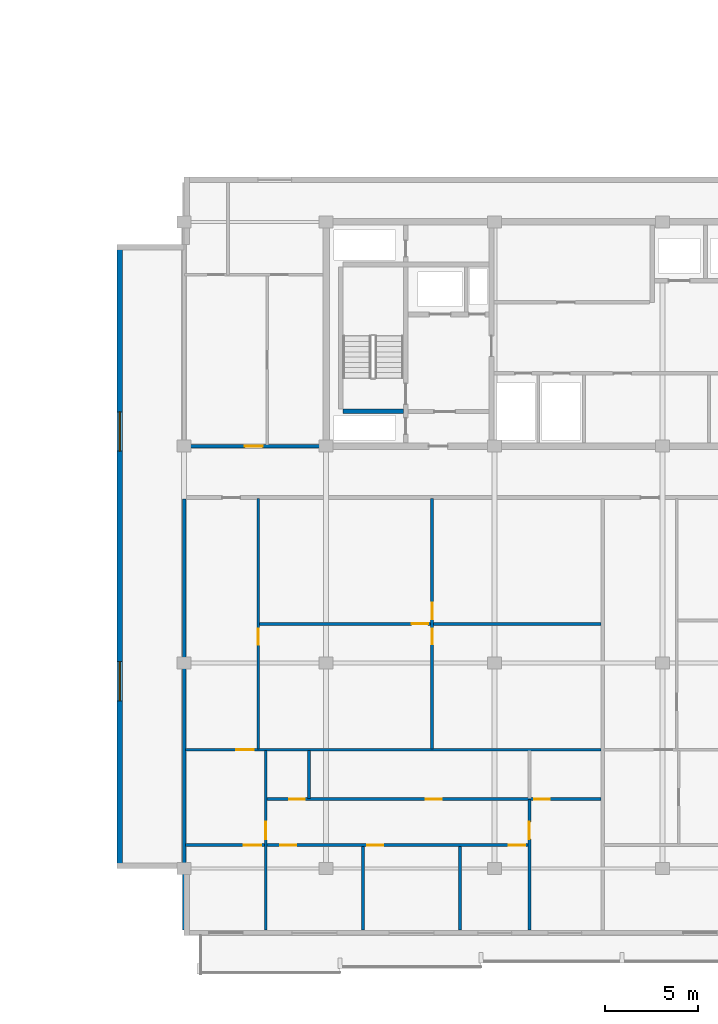
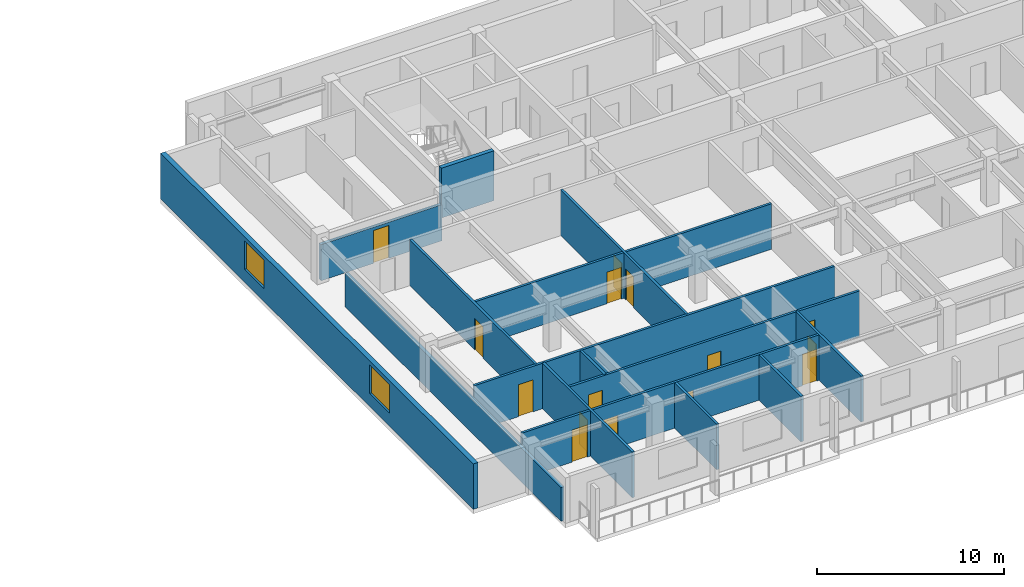
# One storey, part 4 of 22: 15 doors, 15 walls, 2 windows, 17 openings.
"""IFC4 building model written with IfcOpenShell, lengths in metres."""

from ifc_helpers import new_model, si_unit, direction, frame, frame_2d, origin, place, context, subcontext, project, spatial, rectangle, extrude, material, layer, layer_set, type_object, element, fill, save


model = new_model("IFC4")

# Units and contexts
model_context = context("Model", 3, precision=1e-05, world=origin(), true_north=direction((0.0, 1.0)))
body_context = subcontext(model_context, "Body", "Model", "MODEL_VIEW")
ifc_project = project(units=[si_unit("LENGTHUNIT", "METRE"), si_unit("AREAUNIT", "SQUARE_METRE"), si_unit("VOLUMEUNIT", "CUBIC_METRE"), si_unit("PLANEANGLEUNIT", "RADIAN"), si_unit("MASSUNIT", "GRAM", prefix="KILO")], contexts=[model_context])

# Site, building, storey
site_placement = place(None, origin())
site = spatial("IfcSite", under=ifc_project, at=site_placement, CompositionType="ELEMENT")
building_placement = place(site_placement, origin())
building = spatial("IfcBuilding", under=site, at=building_placement, Name="Korimba Cascade Residences", CompositionType="ELEMENT")
storey_placement = place(building_placement, frame((0.0, 0.0, 194.60009765625)))
storey = spatial("IfcBuildingStorey", under=building, at=storey_placement, Name="L56", CompositionType="ELEMENT", Elevation=194.60009765625)

# Wall, openings, windows
ifc_material_1 = material(Name="Precast concrete C40/50", Category="concrete")
ifc_layer_1 = layer(ifc_material_1, 0.300048828125)
ifc_layer_set_1 = layer_set([ifc_layer_1], Name="Precast concrete C40/50")
wall_type_1 = type_object("IfcWallType", Name="EW-STONE-300", PredefinedType="STANDARD", material=ifc_layer_set_1)
wall_1_placement = place(storey_placement, frame((71.050048828125, 29.199951171875, 0.0), z_axis=(0.0, 0.0, 1.0), x_axis=(0.0, -1.0, 0.0)))
wall_1 = element("IfcWall", 1, at=wall_1_placement, inside=storey, type_object=wall_type_1, Name="L56 T2 Perimeter Stone Wall E09", PredefinedType="STANDARD", context=body_context, shape_type="SweptSolid", body=[
    extrude(rectangle(XDim=33.39990234375, YDim=0.300048828125, at=frame_2d((16.699951171875, 0.0))), origin(), (0.0, 0.0, 1.0), 2.969970703125),
])
opening_1_placement = place(wall_1_placement, frame((8.969970703125, 0.0, 0.85009765625)))
opening_1 = element("IfcOpeningElement", 2, at=opening_1_placement, cuts=wall_1, Name="Opening W-03", PredefinedType="OPENING", context=body_context, shape_type="SweptSolid", body=[
    extrude(rectangle(XDim=2.10009765625, YDim=1.85009765625, at=frame_2d((1.050048828125, 0.925048828125))), frame((0.0, 0.16015625, 0.0), z_axis=(0.0, -1.0, 0.0), x_axis=(1.0, 0.0, 0.0)), (0.0, 0.0, 1.0), 0.320068359375),
])
opening_2_placement = place(wall_1_placement, frame((22.330078125, 0.0, 0.85009765625)))
opening_2 = element("IfcOpeningElement", 3, at=opening_2_placement, cuts=wall_1, Name="Opening W-03", PredefinedType="OPENING", context=body_context, shape_type="SweptSolid", body=[
    extrude(rectangle(XDim=2.10009765625, YDim=1.85009765625, at=frame_2d((1.050048828125, 0.925048828125))), frame((0.0, 0.16015625, 0.0), z_axis=(0.0, -1.0, 0.0), x_axis=(1.0, 0.0, 0.0)), (0.0, 0.0, 1.0), 0.320068359375),
])
ifc_material_2 = material(Name="Double-Glazed Aluminium Window", Category="aluminium")
window_type = type_object("IfcWindowType", Name="WIN-CRN-2100", PartitioningType="DOUBLE_PANEL_HORIZONTAL", PredefinedType="WINDOW", material=ifc_material_2)
window_1_placement = place(opening_1_placement, origin())
window_1 = element("IfcWindow", 4, at=window_1_placement, inside=storey, type_object=window_type, Name="L56 T2 End View Window 9.1", OverallHeight=1.85009765625, OverallWidth=2.10009765625, PartitioningType="DOUBLE_PANEL_HORIZONTAL", PredefinedType="WINDOW", context=body_context, shape_type="SweptSolid", body=[
    extrude(rectangle(XDim=2.10009765625, YDim=1.85009765625, at=frame_2d((1.050048828125, 0.925048828125))), frame((0.0, 0.030029296875, 0.0), z_axis=(0.0, -1.0, 0.0), x_axis=(1.0, 0.0, 0.0)), (0.0, 0.0, 1.0), 0.06005859375),
])
fill(opening_1, window_1)
window_2_placement = place(opening_2_placement, origin())
window_2 = element("IfcWindow", 5, at=window_2_placement, inside=storey, type_object=window_type, Name="L56 T2 End View Window 9.2", OverallHeight=1.85009765625, OverallWidth=2.10009765625, PartitioningType="DOUBLE_PANEL_HORIZONTAL", PredefinedType="WINDOW", context=body_context, shape_type="SweptSolid", body=[
    extrude(rectangle(XDim=2.10009765625, YDim=1.85009765625, at=frame_2d((1.050048828125, 0.925048828125))), frame((0.0, 0.030029296875, 0.0), z_axis=(0.0, -1.0, 0.0), x_axis=(1.0, 0.0, 0.0)), (0.0, 0.0, 1.0), 0.06005859375),
])
fill(opening_2, window_2)

# Wall, opening, door
ifc_layer_2 = layer(ifc_material_1, 0.199951171875)
ifc_layer_set_2 = layer_set([ifc_layer_2], Name="Precast concrete C40/50")
wall_type_2 = type_object("IfcWallType", Name="WAL-IT-200", PredefinedType="PARTITIONING", material=ifc_layer_set_2)
wall_2_placement = place(storey_placement, frame((74.5, 18.39990234375, 0.0), z_axis=(0.0, 0.0, 1.0), x_axis=(1.0, 0.0, 0.0)))
wall_2 = element("IfcWall", 6, at=wall_2_placement, inside=storey, type_object=wall_type_2, Name="L56 Partition Wall WAL-L56-T2-FW-S", PredefinedType="PARTITIONING", context=body_context, shape_type="SweptSolid", body=[
    extrude(rectangle(XDim=7.449951171875, YDim=0.199951171875, at=frame_2d((3.72509765625, 0.0))), origin(), (0.0, 0.0, 1.0), 2.357666015625),
])
opening_3_placement = place(wall_2_placement, frame((3.25, 0.0, 0.0)))
opening_3 = element("IfcOpeningElement", 7, at=opening_3_placement, cuts=wall_2, Name="Opening D-UN1", PredefinedType="OPENING", context=body_context, shape_type="SweptSolid", body=[
    extrude(rectangle(XDim=0.949951171875, YDim=2.14990234375, at=frame_2d((0.47509765625, 1.074951171875))), frame((0.0, 0.10986328125, 0.0), z_axis=(0.0, -1.0, 0.0), x_axis=(1.0, 0.0, 0.0)), (0.0, 0.0, 1.0), 0.219970703125),
])
ifc_material_3 = material(Name="Fire-Rated Hardwood Apartment Entrance Door", Category="wood")
door_type_1 = type_object("IfcDoorType", Name="DR-FD60-950", OperationType="NOTDEFINED", PredefinedType="DOOR", material=ifc_material_3)
door_1_placement = place(opening_3_placement, origin())
door_1 = element("IfcDoor", 8, at=door_1_placement, inside=storey, type_object=door_type_1, Name="L56-T2-FW Entrance Door", OperationType="SINGLE_SWING_RIGHT", OverallHeight=2.14990234375, OverallWidth=0.949951171875, PredefinedType="DOOR", context=body_context, shape_type="SweptSolid", body=[
    extrude(rectangle(XDim=0.949951171875, YDim=2.14990234375, at=frame_2d((0.47509765625, 1.074951171875))), frame((0.0, 0.02490234375, 0.0), z_axis=(0.0, -1.0, 0.0), x_axis=(1.0, 0.0, 0.0)), (0.0, 0.0, 1.0), 0.050048828125),
])
fill(opening_3, door_1)

# Wall
wall_3_placement = place(storey_placement, frame((74.5, -7.5, 0.0), z_axis=(0.0, 0.0, 1.0), x_axis=(0.0, 1.0, 0.0)))
element("IfcWall", 9, at=wall_3_placement, inside=storey, type_object=wall_type_2, Name="L56 Partition Wall WAL-L56-T2-BNDWL", PredefinedType="PARTITIONING", context=body_context, shape_type="SweptSolid", body=[
    extrude(rectangle(XDim=23.070068359375, YDim=0.199951171875, at=frame_2d((11.53515625, 0.0))), origin(), (0.0, 0.0, 1.0), 2.2001953125),
])

# Wall, openings, doors
ifc_material_4 = material(Name="Insulated Acoustic Stud Partition", Category="gypsum")
ifc_layer_3 = layer(ifc_material_4, 0.14990234375)
ifc_layer_set_3 = layer_set([ifc_layer_3], Name="Insulated Acoustic Stud Partition")
wall_type_3 = type_object("IfcWallType", Name="WAL-PART-150", PredefinedType="PARTITIONING", material=ifc_layer_set_3)
wall_4_placement = place(storey_placement, frame((87.7744140625, 2.18994140625, 0.0), z_axis=(0.0, 0.0, 1.0), x_axis=(0.0, 1.0, 0.0)))
wall_4 = element("IfcWall", 10, at=wall_4_placement, inside=storey, type_object=wall_type_3, Name="L56 Partition Wall WAL-L56-T2-U01-FMV", PredefinedType="PARTITIONING", context=body_context, shape_type="SweptSolid", body=[
    extrude(rectangle(XDim=13.400146484375, YDim=0.14990234375, at=frame_2d((6.7001953125, 0.0))), origin(), (0.0, 0.0, 1.0), 2.969970703125),
])
opening_4_placement = place(wall_4_placement, frame((5.610107421875, 0.0, 0.0)))
opening_4 = element("IfcOpeningElement", 11, at=opening_4_placement, cuts=wall_4, Name="Opening D-BT1", PredefinedType="OPENING", context=body_context, shape_type="SweptSolid", body=[
    extrude(rectangle(XDim=0.840087890625, YDim=2.0400390625, at=frame_2d((0.419921875, 1.02001953125))), frame((0.0, 0.0849609375, 0.0), z_axis=(0.0, -1.0, 0.0), x_axis=(1.0, 0.0, 0.0)), (0.0, 0.0, 1.0), 0.169921875),
])
opening_5_placement = place(wall_4_placement, frame((6.949951171875, 0.0, 0.0)))
opening_5 = element("IfcOpeningElement", 12, at=opening_5_placement, cuts=wall_4, Name="Opening D-IN2", PredefinedType="OPENING", context=body_context, shape_type="SweptSolid", body=[
    extrude(rectangle(XDim=0.8798828125, YDim=2.06005859375, at=frame_2d((0.43994140625, 1.030029296875))), frame((0.0, 0.0849609375, 0.0), z_axis=(0.0, -1.0, 0.0), x_axis=(1.0, 0.0, 0.0)), (0.0, 0.0, 1.0), 0.169921875),
])
ifc_material_5 = material(Name="Moisture-Resistant Bathroom Timber Door", Category="wood")
door_type_2 = type_object("IfcDoorType", Name="DR-INT-850", OperationType="NOTDEFINED", PredefinedType="DOOR", material=ifc_material_5)
door_2_placement = place(opening_4_placement, origin())
door_2 = element("IfcDoor", 13, at=door_2_placement, inside=storey, type_object=door_type_2, Name="L56-T2-U01 Wardrobe Door", OperationType="SINGLE_SWING_LEFT", OverallHeight=2.0400390625, OverallWidth=0.840087890625, PredefinedType="DOOR", context=body_context, shape_type="SweptSolid", body=[
    extrude(rectangle(XDim=0.840087890625, YDim=2.0400390625, at=frame_2d((0.419921875, 1.02001953125))), frame((0.0, 0.02490234375, 0.0), z_axis=(0.0, -1.0, 0.0), x_axis=(1.0, 0.0, 0.0)), (0.0, 0.0, 1.0), 0.050048828125),
])
fill(opening_4, door_2)
ifc_material_6 = material(Name="Acoustic Timber Bedroom Door", Category="wood")
door_type_3 = type_object("IfcDoorType", Name="DR-INT-880", OperationType="NOTDEFINED", PredefinedType="DOOR", material=ifc_material_6)
door_3_placement = place(opening_5_placement, origin())
door_3 = element("IfcDoor", 14, at=door_3_placement, inside=storey, type_object=door_type_3, Name="L56-T2-U01 Music Lounge Door", OperationType="SINGLE_SWING_RIGHT", OverallHeight=2.06005859375, OverallWidth=0.8798828125, PredefinedType="DOOR", context=body_context, shape_type="SweptSolid", body=[
    extrude(rectangle(XDim=0.8798828125, YDim=2.06005859375, at=frame_2d((0.43994140625, 1.030029296875))), frame((0.0, 0.02490234375, 0.0), z_axis=(0.0, -1.0, 0.0), x_axis=(1.0, 0.0, 0.0)), (0.0, 0.0, 1.0), 0.050048828125),
])
fill(opening_5, door_3)

# Wall, opening, door
wall_5_placement = place(storey_placement, frame((78.530029296875, 8.889892578125, 0.0), z_axis=(0.0, 0.0, 1.0), x_axis=(1.0, 0.0, 0.0)))
wall_5 = element("IfcWall", 15, at=wall_5_placement, inside=storey, type_object=wall_type_3, Name="L56 Partition Wall WAL-L56-T2-U01-FMH", PredefinedType="PARTITIONING", context=body_context, shape_type="SweptSolid", body=[
    extrude(rectangle(XDim=18.2890625, YDim=0.14990234375, at=frame_2d((9.14453125, 0.0))), origin(), (0.0, 0.0, 1.0), 2.969970703125),
])
opening_6_placement = place(wall_5_placement, frame((8.14453125, 0.0, 0.0)))
opening_6 = element("IfcOpeningElement", 16, at=opening_6_placement, cuts=wall_5, Name="Opening D-IN2", PredefinedType="OPENING", context=body_context, shape_type="SweptSolid", body=[
    extrude(rectangle(XDim=0.8798828125, YDim=2.06005859375, at=frame_2d((0.43994140625, 1.030029296875))), frame((0.0, 0.0849609375, 0.0), z_axis=(0.0, -1.0, 0.0), x_axis=(1.0, 0.0, 0.0)), (0.0, 0.0, 1.0), 0.169921875),
])
door_4_placement = place(opening_6_placement, origin())
door_4 = element("IfcDoor", 17, at=door_4_placement, inside=storey, type_object=door_type_3, Name="L56-T2-U01 Library Salon Door", OperationType="SINGLE_SWING_LEFT", OverallHeight=2.06005859375, OverallWidth=0.8798828125, PredefinedType="DOOR", context=body_context, shape_type="SweptSolid", body=[
    extrude(rectangle(XDim=0.8798828125, YDim=2.06005859375, at=frame_2d((0.43994140625, 1.030029296875))), frame((0.0, 0.02490234375, 0.0), z_axis=(0.0, -1.0, 0.0), x_axis=(1.0, 0.0, 0.0)), (0.0, 0.0, 1.0), 0.050048828125),
])
fill(opening_6, door_4)

wall_6_placement = place(storey_placement, frame((78.469970703125, 2.18994140625, 0.0), z_axis=(0.0, 0.0, 1.0), x_axis=(0.0, 1.0, 0.0)))
wall_6 = element("IfcWall", 18, at=wall_6_placement, inside=storey, type_object=wall_type_3, Name="L56 Partition Wall WAL-L56-T2-U01-FV", PredefinedType="PARTITIONING", context=body_context, shape_type="SweptSolid", body=[
    extrude(rectangle(XDim=13.400146484375, YDim=0.14990234375, at=frame_2d((6.7001953125, 0.0))), origin(), (0.0, 0.0, 1.0), 2.969970703125),
])
opening_7_placement = place(wall_6_placement, frame((5.570068359375, 0.0, 0.0)))
opening_7 = element("IfcOpeningElement", 19, at=opening_7_placement, cuts=wall_6, Name="Opening D-IN2", PredefinedType="OPENING", context=body_context, shape_type="SweptSolid", body=[
    extrude(rectangle(XDim=0.8798828125, YDim=2.06005859375, at=frame_2d((0.43994140625, 1.030029296875))), frame((0.0, 0.0849609375, 0.0), z_axis=(0.0, -1.0, 0.0), x_axis=(1.0, 0.0, 0.0)), (0.0, 0.0, 1.0), 0.169921875),
])
door_5_placement = place(opening_7_placement, origin())
door_5 = element("IfcDoor", 20, at=door_5_placement, inside=storey, type_object=door_type_3, Name="L56-T2-U01 Media Lounge Door", OperationType="SINGLE_SWING_RIGHT", OverallHeight=2.06005859375, OverallWidth=0.8798828125, PredefinedType="DOOR", context=body_context, shape_type="SweptSolid", body=[
    extrude(rectangle(XDim=0.8798828125, YDim=2.06005859375, at=frame_2d((0.43994140625, 1.030029296875))), frame((0.0, 0.02490234375, 0.0), z_axis=(0.0, -1.0, 0.0), x_axis=(1.0, 0.0, 0.0)), (0.0, 0.0, 1.0), 0.050048828125),
])
fill(opening_7, door_5)

# Walls
wall_7_placement = place(storey_placement, frame((81.179931640625, -0.469970703125, 0.0), z_axis=(0.0, 0.0, 1.0), x_axis=(0.0, 1.0, 0.0)))
element("IfcWall", 21, at=wall_7_placement, inside=storey, type_object=wall_type_3, Name="L56 Partition Wall WAL-L56-T2-U01-VDRS", PredefinedType="PARTITIONING", context=body_context, shape_type="SweptSolid", body=[
    extrude(rectangle(XDim=2.580078125, YDim=0.14990234375, at=frame_2d((1.2900390625, 0.0))), origin(), (0.0, 0.0, 1.0), 2.969970703125),
])
for number, where, z_axis, x_axis, name in (
    (22, (84.070068359375, -7.5, 0.0), (0.0, 0.0, 1.0), (0.0, 1.0, 0.0), "L56 Partition Wall WAL-L56-T2-U01-VB2"),
    (23, (89.27001953125, -7.5, 0.0), (0.0, 0.0, 1.0), (0.0, 1.0, 0.0), "L56 Partition Wall WAL-L56-T2-U01-VB3"),
):
    element("IfcWall", number, at=place(storey_placement, frame(where, z_axis=z_axis, x_axis=x_axis)), inside=storey, type_object=wall_type_3, Name=name, PredefinedType="PARTITIONING", context=body_context, shape_type="SweptSolid", body=[
        extrude(rectangle(XDim=4.469970703125, YDim=0.14990234375, at=frame_2d((2.23486328125, 0.0))), origin(), (0.0, 0.0, 1.0), 2.969970703125),
    ])

# Wall, opening, door
wall_8_placement = place(storey_placement, frame((78.8701171875, -7.5, 0.0), z_axis=(0.0, 0.0, 1.0), x_axis=(0.0, 1.0, 0.0)))
wall_8 = element("IfcWall", 24, at=wall_8_placement, inside=storey, type_object=wall_type_3, Name="L56 Partition Wall WAL-L56-T2-U01-V1", PredefinedType="PARTITIONING", context=body_context, shape_type="SweptSolid", body=[
    extrude(rectangle(XDim=9.610107421875, YDim=0.14990234375, at=frame_2d((4.80517578125, 0.0))), origin(), (0.0, 0.0, 1.0), 2.969970703125),
])
opening_8_placement = place(wall_8_placement, frame((4.8701171875, 0.0, 0.0)))
opening_8 = element("IfcOpeningElement", 25, at=opening_8_placement, cuts=wall_8, Name="Opening D-IN1", PredefinedType="OPENING", context=body_context, shape_type="SweptSolid", body=[
    extrude(rectangle(XDim=0.919921875, YDim=2.080078125, at=frame_2d((0.4599609375, 1.0400390625))), frame((0.0, 0.0849609375, 0.0), z_axis=(0.0, -1.0, 0.0), x_axis=(1.0, 0.0, 0.0)), (0.0, 0.0, 1.0), 0.169921875),
])
ifc_material_7 = material(Name="Acoustic Timber Living Door", Category="wood")
door_type_4 = type_object("IfcDoorType", Name="DR-INT-920", OperationType="NOTDEFINED", PredefinedType="DOOR", material=ifc_material_7)
door_6_placement = place(opening_8_placement, origin())
door_6 = element("IfcDoor", 26, at=door_6_placement, inside=storey, type_object=door_type_4, Name="L56-T2-U01 Hallway Door", OperationType="SINGLE_SWING_LEFT", OverallHeight=2.080078125, OverallWidth=0.919921875, PredefinedType="DOOR", context=body_context, shape_type="SweptSolid", body=[
    extrude(rectangle(XDim=0.919921875, YDim=2.080078125, at=frame_2d((0.4599609375, 1.0400390625))), frame((0.0, 0.02490234375, 0.0), z_axis=(0.0, -1.0, 0.0), x_axis=(1.0, 0.0, 0.0)), (0.0, 0.0, 1.0), 0.050048828125),
])
fill(opening_8, door_6)

wall_9_placement = place(storey_placement, frame((92.97998046875, -7.5, 0.0), z_axis=(0.0, 0.0, 1.0), x_axis=(0.0, 1.0, 0.0)))
wall_9 = element("IfcWall", 27, at=wall_9_placement, inside=storey, type_object=wall_type_3, Name="L56 Partition Wall WAL-L56-T2-U01-V2FULL", PredefinedType="PARTITIONING", context=body_context, shape_type="SweptSolid", body=[
    extrude(rectangle(XDim=6.989990234375, YDim=0.14990234375, at=frame_2d((3.4951171875, 0.0))), origin(), (0.0, 0.0, 1.0), 2.969970703125),
])
opening_9_placement = place(wall_9_placement, frame((4.8701171875, 0.0, 0.0)))
opening_9 = element("IfcOpeningElement", 28, at=opening_9_placement, cuts=wall_9, Name="Opening D-IN1", PredefinedType="OPENING", context=body_context, shape_type="SweptSolid", body=[
    extrude(rectangle(XDim=0.919921875, YDim=2.080078125, at=frame_2d((0.4599609375, 1.0400390625))), frame((0.0, 0.0849609375, 0.0), z_axis=(0.0, -1.0, 0.0), x_axis=(1.0, 0.0, 0.0)), (0.0, 0.0, 1.0), 0.169921875),
])
door_7_placement = place(opening_9_placement, origin())
door_7 = element("IfcDoor", 29, at=door_7_placement, inside=storey, type_object=door_type_4, Name="L56-T2-U01 Master Bedroom Door", OperationType="SINGLE_SWING_RIGHT", OverallHeight=2.080078125, OverallWidth=0.919921875, PredefinedType="DOOR", context=body_context, shape_type="SweptSolid", body=[
    extrude(rectangle(XDim=0.919921875, YDim=2.080078125, at=frame_2d((0.4599609375, 1.0400390625))), frame((0.0, 0.02490234375, 0.0), z_axis=(0.0, -1.0, 0.0), x_axis=(1.0, 0.0, 0.0)), (0.0, 0.0, 1.0), 0.050048828125),
])
fill(opening_9, door_7)

# Wall, openings, doors
wall_10_placement = place(storey_placement, frame((78.909912109375, -0.489990234375, 0.0), z_axis=(0.0, 0.0, 1.0), x_axis=(1.0, 0.0, 0.0)))
wall_10 = element("IfcWall", 30, at=wall_10_placement, inside=storey, type_object=wall_type_3, Name="L56 Partition Wall WAL-L56-T2-U01-HWALL", PredefinedType="PARTITIONING", context=body_context, shape_type="SweptSolid", body=[
    extrude(rectangle(XDim=17.9091796875, YDim=0.14990234375, at=frame_2d((8.95458984375, 0.0))), origin(), (0.0, 0.0, 1.0), 2.969970703125),
])
opening_10_placement = place(wall_10_placement, frame((1.2099609375, 0.0, 0.0)))
opening_10 = element("IfcOpeningElement", 31, at=opening_10_placement, cuts=wall_10, Name="Opening D-BT1", PredefinedType="OPENING", context=body_context, shape_type="SweptSolid", body=[
    extrude(rectangle(XDim=0.840087890625, YDim=2.0400390625, at=frame_2d((0.419921875, 1.02001953125))), frame((0.0, 0.0849609375, 0.0), z_axis=(0.0, -1.0, 0.0), x_axis=(1.0, 0.0, 0.0)), (0.0, 0.0, 1.0), 0.169921875),
])
opening_11_placement = place(wall_10_placement, frame((8.53466796875, 0.0, 0.0)))
opening_11 = element("IfcOpeningElement", 32, at=opening_11_placement, cuts=wall_10, Name="Opening D-BT1", PredefinedType="OPENING", context=body_context, shape_type="SweptSolid", body=[
    extrude(rectangle(XDim=0.840087890625, YDim=2.0400390625, at=frame_2d((0.419921875, 1.02001953125))), frame((0.0, 0.0849609375, 0.0), z_axis=(0.0, -1.0, 0.0), x_axis=(1.0, 0.0, 0.0)), (0.0, 0.0, 1.0), 0.169921875),
])
opening_12_placement = place(wall_10_placement, frame((14.320068359375, 0.0, 0.0)))
opening_12 = element("IfcOpeningElement", 33, at=opening_12_placement, cuts=wall_10, Name="Opening D-BT1", PredefinedType="OPENING", context=body_context, shape_type="SweptSolid", body=[
    extrude(rectangle(XDim=0.840087890625, YDim=2.0400390625, at=frame_2d((0.419921875, 1.02001953125))), frame((0.0, 0.0849609375, 0.0), z_axis=(0.0, -1.0, 0.0), x_axis=(1.0, 0.0, 0.0)), (0.0, 0.0, 1.0), 0.169921875),
])
door_8_placement = place(opening_10_placement, origin())
door_8 = element("IfcDoor", 34, at=door_8_placement, inside=storey, type_object=door_type_2, Name="L56-T2-U01 Family Bathroom Door", OperationType="SINGLE_SWING_LEFT", OverallHeight=2.0400390625, OverallWidth=0.840087890625, PredefinedType="DOOR", context=body_context, shape_type="SweptSolid", body=[
    extrude(rectangle(XDim=0.840087890625, YDim=2.0400390625, at=frame_2d((0.419921875, 1.02001953125))), frame((0.0, 0.02490234375, 0.0), z_axis=(0.0, -1.0, 0.0), x_axis=(1.0, 0.0, 0.0)), (0.0, 0.0, 1.0), 0.050048828125),
])
fill(opening_10, door_8)
door_9_placement = place(opening_11_placement, origin())
door_9 = element("IfcDoor", 35, at=door_9_placement, inside=storey, type_object=door_type_2, Name="L56-T2-U01 Dressing Room Door", OperationType="SINGLE_SWING_RIGHT", OverallHeight=2.0400390625, OverallWidth=0.840087890625, PredefinedType="DOOR", context=body_context, shape_type="SweptSolid", body=[
    extrude(rectangle(XDim=0.840087890625, YDim=2.0400390625, at=frame_2d((0.419921875, 1.02001953125))), frame((0.0, 0.02490234375, 0.0), z_axis=(0.0, -1.0, 0.0), x_axis=(1.0, 0.0, 0.0)), (0.0, 0.0, 1.0), 0.050048828125),
])
fill(opening_11, door_9)
door_10_placement = place(opening_12_placement, origin())
door_10 = element("IfcDoor", 36, at=door_10_placement, inside=storey, type_object=door_type_2, Name="L56-T2-U01 En-Suite Door", OperationType="SINGLE_SWING_LEFT", OverallHeight=2.0400390625, OverallWidth=0.840087890625, PredefinedType="DOOR", context=body_context, shape_type="SweptSolid", body=[
    extrude(rectangle(XDim=0.840087890625, YDim=2.0400390625, at=frame_2d((0.419921875, 1.02001953125))), frame((0.0, 0.02490234375, 0.0), z_axis=(0.0, -1.0, 0.0), x_axis=(1.0, 0.0, 0.0)), (0.0, 0.0, 1.0), 0.050048828125),
])
fill(opening_12, door_10)

# Wall, opening, door
wall_11_placement = place(storey_placement, frame((74.580078125, 2.14990234375, 0.0), z_axis=(0.0, 0.0, 1.0), x_axis=(1.0, 0.0, 0.0)))
wall_11 = element("IfcWall", 37, at=wall_11_placement, inside=storey, type_object=wall_type_3, Name="L56 Partition Wall WAL-L56-T2-U01-MW", PredefinedType="PARTITIONING", context=body_context, shape_type="SweptSolid", body=[
    extrude(rectangle(XDim=22.239013671875, YDim=0.14990234375, at=frame_2d((11.11962890625, 0.0))), origin(), (0.0, 0.0, 1.0), 2.969970703125),
])
opening_13_placement = place(wall_11_placement, frame((2.719970703125, 0.0, 0.0)))
opening_13 = element("IfcOpeningElement", 38, at=opening_13_placement, cuts=wall_11, Name="Opening D-IN1", PredefinedType="OPENING", context=body_context, shape_type="SweptSolid", body=[
    extrude(rectangle(XDim=0.919921875, YDim=2.080078125, at=frame_2d((0.4599609375, 1.0400390625))), frame((0.0, 0.0849609375, 0.0), z_axis=(0.0, -1.0, 0.0), x_axis=(1.0, 0.0, 0.0)), (0.0, 0.0, 1.0), 0.169921875),
])
door_11_placement = place(opening_13_placement, origin())
door_11 = element("IfcDoor", 39, at=door_11_placement, inside=storey, type_object=door_type_4, Name="L56-T2-U01 Kitchen Door", OperationType="SINGLE_SWING_RIGHT", OverallHeight=2.080078125, OverallWidth=0.919921875, PredefinedType="DOOR", context=body_context, shape_type="SweptSolid", body=[
    extrude(rectangle(XDim=0.919921875, YDim=2.080078125, at=frame_2d((0.4599609375, 1.0400390625))), frame((0.0, 0.02490234375, 0.0), z_axis=(0.0, -1.0, 0.0), x_axis=(1.0, 0.0, 0.0)), (0.0, 0.0, 1.0), 0.050048828125),
])
fill(opening_13, door_11)

# Wall, openings, doors
wall_12_placement = place(storey_placement, frame((74.580078125, -2.949951171875, 0.0), z_axis=(0.0, 0.0, 1.0), x_axis=(1.0, 0.0, 0.0)))
wall_12 = element("IfcWall", 40, at=wall_12_placement, inside=storey, type_object=wall_type_3, Name="L56 Partition Wall WAL-L56-T2-U01-HZ", PredefinedType="PARTITIONING", context=body_context, shape_type="SweptSolid", body=[
    extrude(rectangle(XDim=18.39990234375, YDim=0.14990234375, at=frame_2d((9.199951171875, 0.0))), origin(), (0.0, 0.0, 1.0), 2.969970703125),
])
opening_14_placement = place(wall_12_placement, frame((3.10009765625, 0.0, 0.0)))
opening_14 = element("IfcOpeningElement", 41, at=opening_14_placement, cuts=wall_12, Name="Opening D-IN0", PredefinedType="OPENING", context=body_context, shape_type="SweptSolid", body=[
    extrude(rectangle(XDim=0.93994140625, YDim=2.10009765625, at=frame_2d((0.469970703125, 1.050048828125))), frame((0.0, 0.0849609375, 0.0), z_axis=(0.0, -1.0, 0.0), x_axis=(1.0, 0.0, 0.0)), (0.0, 0.0, 1.0), 0.169921875),
])
opening_15_placement = place(wall_12_placement, frame((5.05322265625, 0.0, 0.0)))
opening_15 = element("IfcOpeningElement", 42, at=opening_15_placement, cuts=wall_12, Name="Opening D-IN2", PredefinedType="OPENING", context=body_context, shape_type="SweptSolid", body=[
    extrude(rectangle(XDim=0.8798828125, YDim=2.06005859375, at=frame_2d((0.43994140625, 1.030029296875))), frame((0.0, 0.0849609375, 0.0), z_axis=(0.0, -1.0, 0.0), x_axis=(1.0, 0.0, 0.0)), (0.0, 0.0, 1.0), 0.169921875),
])
opening_16_placement = place(wall_12_placement, frame((9.7099609375, 0.0, 0.0)))
opening_16 = element("IfcOpeningElement", 43, at=opening_16_placement, cuts=wall_12, Name="Opening D-IN2", PredefinedType="OPENING", context=body_context, shape_type="SweptSolid", body=[
    extrude(rectangle(XDim=0.8798828125, YDim=2.06005859375, at=frame_2d((0.43994140625, 1.030029296875))), frame((0.0, 0.0849609375, 0.0), z_axis=(0.0, -1.0, 0.0), x_axis=(1.0, 0.0, 0.0)), (0.0, 0.0, 1.0), 0.169921875),
])
opening_17_placement = place(wall_12_placement, frame((17.300048828125, 0.0, 0.0)))
opening_17 = element("IfcOpeningElement", 44, at=opening_17_placement, cuts=wall_12, Name="Opening D-IN2", PredefinedType="OPENING", context=body_context, shape_type="SweptSolid", body=[
    extrude(rectangle(XDim=0.8798828125, YDim=2.06005859375, at=frame_2d((0.43994140625, 1.030029296875))), frame((0.0, 0.0849609375, 0.0), z_axis=(0.0, -1.0, 0.0), x_axis=(1.0, 0.0, 0.0)), (0.0, 0.0, 1.0), 0.169921875),
])
door_12_placement = place(opening_15_placement, origin())
door_12 = element("IfcDoor", 45, at=door_12_placement, inside=storey, type_object=door_type_3, Name="L56-T2-U01 Bedroom 2 Door", OperationType="SINGLE_SWING_RIGHT", OverallHeight=2.06005859375, OverallWidth=0.8798828125, PredefinedType="DOOR", context=body_context, shape_type="SweptSolid", body=[
    extrude(rectangle(XDim=0.8798828125, YDim=2.06005859375, at=frame_2d((0.43994140625, 1.030029296875))), frame((0.0, 0.02490234375, 0.0), z_axis=(0.0, -1.0, 0.0), x_axis=(1.0, 0.0, 0.0)), (0.0, 0.0, 1.0), 0.050048828125),
])
fill(opening_15, door_12)
door_13_placement = place(opening_16_placement, origin())
door_13 = element("IfcDoor", 46, at=door_13_placement, inside=storey, type_object=door_type_3, Name="L56-T2-U01 Bedroom 3 Door", OperationType="SINGLE_SWING_LEFT", OverallHeight=2.06005859375, OverallWidth=0.8798828125, PredefinedType="DOOR", context=body_context, shape_type="SweptSolid", body=[
    extrude(rectangle(XDim=0.8798828125, YDim=2.06005859375, at=frame_2d((0.43994140625, 1.030029296875))), frame((0.0, 0.02490234375, 0.0), z_axis=(0.0, -1.0, 0.0), x_axis=(1.0, 0.0, 0.0)), (0.0, 0.0, 1.0), 0.050048828125),
])
fill(opening_16, door_13)
door_14_placement = place(opening_17_placement, origin())
door_14 = element("IfcDoor", 47, at=door_14_placement, inside=storey, type_object=door_type_3, Name="L56-T2-U01 Study Door", OperationType="SINGLE_SWING_RIGHT", OverallHeight=2.06005859375, OverallWidth=0.8798828125, PredefinedType="DOOR", context=body_context, shape_type="SweptSolid", body=[
    extrude(rectangle(XDim=0.8798828125, YDim=2.06005859375, at=frame_2d((0.43994140625, 1.030029296875))), frame((0.0, 0.02490234375, 0.0), z_axis=(0.0, -1.0, 0.0), x_axis=(1.0, 0.0, 0.0)), (0.0, 0.0, 1.0), 0.050048828125),
])
fill(opening_17, door_14)
ifc_material_8 = material(Name="Acoustic Timber Living Archway Door", Category="wood")
door_type_5 = type_object("IfcDoorType", Name="DR-INT-950", OperationType="NOTDEFINED", PredefinedType="DOOR", material=ifc_material_8)
door_15_placement = place(opening_14_placement, origin())
door_15 = element("IfcDoor", 48, at=door_15_placement, inside=storey, type_object=door_type_5, Name="L56-T2-U01 Living Room Door", OperationType="SINGLE_SWING_LEFT", OverallHeight=2.10009765625, OverallWidth=0.93994140625, PredefinedType="DOOR", context=body_context, shape_type="SweptSolid", body=[
    extrude(rectangle(XDim=0.93994140625, YDim=2.10009765625, at=frame_2d((0.469970703125, 1.050048828125))), frame((0.0, 0.02490234375, 0.0), z_axis=(0.0, -1.0, 0.0), x_axis=(1.0, 0.0, 0.0)), (0.0, 0.0, 1.0), 0.050048828125),
])
fill(opening_14, door_15)

# Wall
ifc_material_9 = material(Name="Concrete C50/60", Category="concrete")
ifc_layer_4 = layer(ifc_material_9, 0.25)
ifc_layer_set_4 = layer_set([ifc_layer_4], Name="Concrete C50/60")
wall_type_4 = type_object("IfcWallType", Name="WAL-SHAFT-250", PredefinedType="SHEAR", material=ifc_layer_set_4)
wall_13_placement = place(storey_placement, frame((83.0, 20.27490234375, 0.0), z_axis=(0.0, 0.0, 1.0), x_axis=(1.0, 0.0, 0.0)))
element("IfcWall", 49, at=wall_13_placement, inside=storey, type_object=wall_type_4, Name="L56 Core Shear Wall CW-L56-T2-STE1S", PredefinedType="SHEAR", context=body_context, shape_type="SweptSolid", body=[
    extrude(rectangle(XDim=3.239990234375, YDim=0.25, at=frame_2d((1.6201171875, 0.0))), origin(), (0.0, 0.0, 1.0), 3.25),
])

save(model, "model.ifc")
